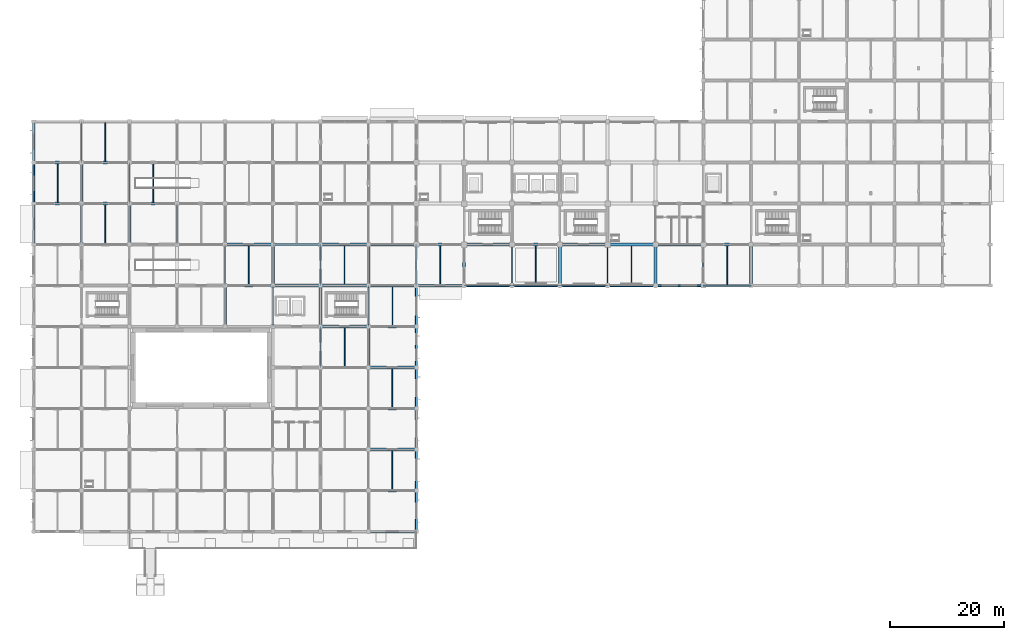
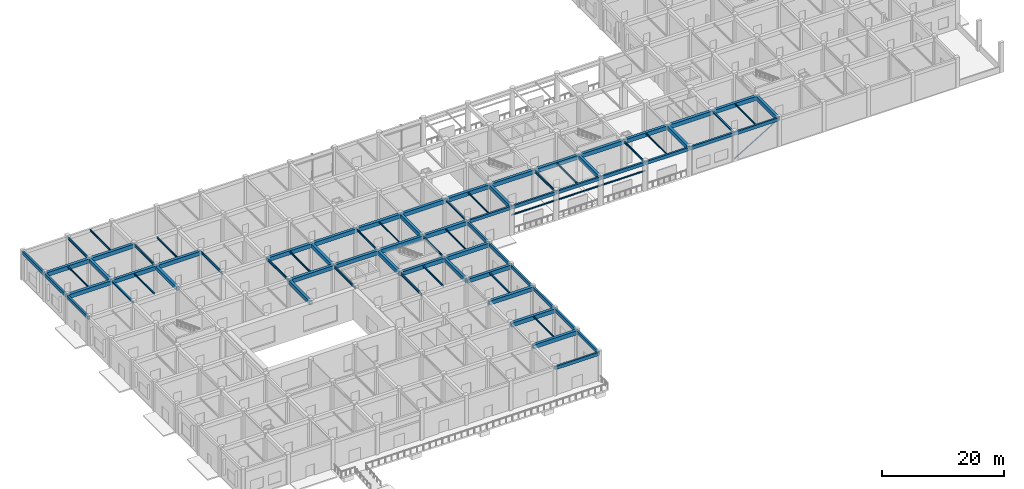
# One storey, part 4 of 39: 84 beams, 1 member.
"""IFC4 building model written with IfcOpenShell, lengths in metres."""

from ifc_helpers import new_model, si_unit, derived_unit, direction, frame, origin, origin_2d, place, context, subcontext, project, spatial, rectangle, hollow_circle, i_section, extrude, material, material_profile, profile_set, type_object, element, save


model = new_model("IFC4")

# Units and contexts
model_context = context("Model", 3, precision=1e-05, world=origin(), true_north=direction((0.0, 1.0)))
body_context = subcontext(model_context, "Body", "Model", "MODEL_VIEW")
ifc_project = project(units=[si_unit("LENGTHUNIT", "METRE"), si_unit("AREAUNIT", "SQUARE_METRE"), si_unit("VOLUMEUNIT", "CUBIC_METRE"), si_unit("PLANEANGLEUNIT", "RADIAN"), si_unit("MASSUNIT", "GRAM", prefix="KILO"), derived_unit("THERMALTRANSMITTANCEUNIT", [(si_unit("MASSUNIT", "GRAM", prefix="KILO"), 1), (si_unit("TIMEUNIT", "SECOND"), -3), (si_unit("THERMODYNAMICTEMPERATUREUNIT", "KELVIN"), -1)])], contexts=[model_context])

# Site, building, storey
site_placement = place(None, origin())
site = spatial("IfcSite", under=ifc_project, at=site_placement, CompositionType="ELEMENT")
building_placement = place(site_placement, origin())
building = spatial("IfcBuilding", under=site, at=building_placement, Name="Veldstrom Oceanarium and Marine Research Institute", CompositionType="ELEMENT")
storey_placement = place(building_placement, origin())
storey = spatial("IfcBuildingStorey", under=building, at=storey_placement, Name="L00", CompositionType="ELEMENT", Elevation=0.0)

# Beams
ifc_material_1 = material(Name="Concrete C40/50", Category="concrete")
ifc_material_profile_1 = material_profile(ifc_material_1, rectangle(XDim=0.550048828125, YDim=0.800048828125, at=origin_2d()), Name="RC-BM-550x800")
ifc_profile_set_1 = profile_set([ifc_material_profile_1], Name="Concrete C40/50")
beam_type_1 = type_object("IfcBeamType", Name="STR-BM-B02", PredefinedType="BEAM", material=ifc_profile_set_1)
for number, where, z_axis, x_axis, name in (
    (1, (0.0, 57.60009765625, 5.27001953125), (1.0, 0.0, 0.0), (0.0, 1.0, 0.0), "Primary Beam B02 L00-0723"),
    (2, (0.0, 64.800048828125, 5.27001953125), (1.0, 0.0, 0.0), (0.0, 1.0, 0.0), "Primary Beam B02 L00-0724"),
):
    element("IfcBeam", number, at=place(storey_placement, frame(where, z_axis=z_axis, x_axis=x_axis)), inside=storey, type_object=beam_type_1, Name=name, PredefinedType="BEAM", context=body_context, shape_type="SweptSolid", body=[
        extrude(rectangle(XDim=0.550048828125, YDim=0.800048828125, at=origin_2d()), origin(), (0.0, 0.0, 1.0), 8.39990234375),
    ])
for number, where, z_axis, x_axis, name in (
    (3, (8.39990234375, 57.60009765625, 5.27001953125), (1.0, 0.0, 0.0), (0.0, 1.0, 0.0), "Primary Beam B02 L00-0734"),
    (4, (8.39990234375, 64.800048828125, 5.27001953125), (1.0, 0.0, 0.0), (0.0, 1.0, 0.0), "Primary Beam B02 L00-0735"),
):
    element("IfcBeam", number, at=place(storey_placement, frame(where, z_axis=z_axis, x_axis=x_axis)), inside=storey, type_object=beam_type_1, Name=name, PredefinedType="BEAM", context=body_context, shape_type="SweptSolid", body=[
        extrude(rectangle(XDim=0.550048828125, YDim=0.800048828125, at=origin_2d()), origin(), (0.0, 0.0, 1.0), 8.400146484375),
    ])
for number, where, z_axis, x_axis, name in (
    (5, (16.800048828125, 57.60009765625, 5.27001953125), (1.0, 0.0, 0.0), (0.0, 1.0, 0.0), "Primary Beam B02 L00-0743"),
    (6, (33.60009765625, 43.199951171875, 5.27001953125), (1.0, 0.0, 0.0), (0.0, 1.0, 0.0), "Primary Beam B02 L00-0759"),
    (7, (33.60009765625, 50.39990234375, 5.27001953125), (1.0, 0.0, 0.0), (0.0, 1.0, 0.0), "Primary Beam B02 L00-0760"),
    (8, (42.0, 43.199951171875, 5.27001953125), (1.0, 0.0, 0.0), (0.0, 1.0, 0.0), "Primary Beam B02 L00-0770"),
    (9, (42.0, 50.39990234375, 5.27001953125), (1.0, 0.0, 0.0), (0.0, 1.0, 0.0), "Primary Beam B02 L00-0771"),
):
    element("IfcBeam", number, at=place(storey_placement, frame(where, z_axis=z_axis, x_axis=x_axis)), inside=storey, type_object=beam_type_1, Name=name, PredefinedType="BEAM", context=body_context, shape_type="SweptSolid", body=[
        extrude(rectangle(XDim=0.550048828125, YDim=0.800048828125, at=origin_2d()), origin(), (0.0, 0.0, 1.0), 8.39990234375),
    ])
for number, where, z_axis, x_axis, name in (
    (10, (50.39990234375, 36.0, 5.27001953125), (1.0, 0.0, 0.0), (0.0, 1.0, 0.0), "Primary Beam B02 L00-0780"),
    (11, (50.39990234375, 43.199951171875, 5.27001953125), (1.0, 0.0, 0.0), (0.0, 1.0, 0.0), "Primary Beam B02 L00-0781"),
    (12, (50.39990234375, 50.39990234375, 5.27001953125), (1.0, 0.0, 0.0), (0.0, 1.0, 0.0), "Primary Beam B02 L00-0782"),
):
    element("IfcBeam", number, at=place(storey_placement, frame(where, z_axis=z_axis, x_axis=x_axis)), inside=storey, type_object=beam_type_1, Name=name, PredefinedType="BEAM", context=body_context, shape_type="SweptSolid", body=[
        extrude(rectangle(XDim=0.550048828125, YDim=0.800048828125, at=origin_2d()), origin(), (0.0, 0.0, 1.0), 8.400146484375),
    ])
for number, where, z_axis, x_axis, name in (
    (13, (58.800048828125, 7.199951171875, 5.27001953125), (1.0, 0.0, 0.0), (0.0, 1.0, 0.0), "Primary Beam B02 L00-0787"),
    (14, (58.800048828125, 14.39990234375, 5.27001953125), (1.0, 0.0, 0.0), (0.0, 1.0, 0.0), "Primary Beam B02 L00-0788"),
    (15, (58.800048828125, 21.60009765625, 5.27001953125), (1.0, 0.0, 0.0), (0.0, 1.0, 0.0), "Primary Beam B02 L00-0789"),
    (16, (58.800048828125, 28.800048828125, 5.27001953125), (1.0, 0.0, 0.0), (0.0, 1.0, 0.0), "Primary Beam B02 L00-0790"),
    (17, (58.800048828125, 36.0, 5.27001953125), (1.0, 0.0, 0.0), (0.0, 1.0, 0.0), "Primary Beam B02 L00-0791"),
    (18, (58.800048828125, 43.199951171875, 5.27001953125), (1.0, 0.0, 0.0), (0.0, 1.0, 0.0), "Primary Beam B02 L00-0792"),
    (19, (58.800048828125, 50.39990234375, 5.27001953125), (1.0, 0.0, 0.0), (0.0, 1.0, 0.0), "Primary Beam B02 L00-0793"),
):
    element("IfcBeam", number, at=place(storey_placement, frame(where, z_axis=z_axis, x_axis=x_axis)), inside=storey, type_object=beam_type_1, Name=name, PredefinedType="BEAM", context=body_context, shape_type="SweptSolid", body=[
        extrude(rectangle(XDim=0.550048828125, YDim=0.800048828125, at=origin_2d()), origin(), (0.0, 0.0, 1.0), 8.39990234375),
    ])
beam_1_placement = place(storey_placement, frame((67.199951171875, 50.39990234375, 5.27001953125), z_axis=(1.0, 0.0, 0.0), x_axis=(0.0, 1.0, 0.0)))
element("IfcBeam", 20, at=beam_1_placement, inside=storey, type_object=beam_type_1, Name="Primary Beam B02 L00-0798", PredefinedType="BEAM", context=body_context, shape_type="SweptSolid", body=[
    extrude(rectangle(XDim=0.550048828125, YDim=0.800048828125, at=origin_2d()), origin(), (0.0, 0.0, 1.0), 8.400146484375),
])
for number, where, z_axis, x_axis, name in (
    (21, (75.60009765625, 50.39990234375, 5.27001953125), (1.0, 0.0, 0.0), (0.0, 1.0, 0.0), "Primary Beam B02 L00-0803"),
    (22, (84.0, 50.39990234375, 5.27001953125), (1.0, 0.0, 0.0), (0.0, 1.0, 0.0), "Primary Beam B02 L00-0808"),
):
    element("IfcBeam", number, at=place(storey_placement, frame(where, z_axis=z_axis, x_axis=x_axis)), inside=storey, type_object=beam_type_1, Name=name, PredefinedType="BEAM", context=body_context, shape_type="SweptSolid", body=[
        extrude(rectangle(XDim=0.550048828125, YDim=0.800048828125, at=origin_2d()), origin(), (0.0, 0.0, 1.0), 8.39990234375),
    ])
beam_2_placement = place(storey_placement, frame((92.39990234375, 50.39990234375, 5.27001953125), z_axis=(1.0, 0.0, 0.0), x_axis=(0.0, 1.0, 0.0)))
element("IfcBeam", 23, at=beam_2_placement, inside=storey, type_object=beam_type_1, Name="Primary Beam B02 L00-0813", PredefinedType="BEAM", context=body_context, shape_type="SweptSolid", body=[
    extrude(rectangle(XDim=0.550048828125, YDim=0.800048828125, at=origin_2d()), origin(), (0.0, 0.0, 1.0), 8.400146484375),
])
beam_3_placement = place(storey_placement, frame((100.800048828125, 50.39990234375, 5.27001953125), z_axis=(1.0, 0.0, 0.0), x_axis=(0.0, 1.0, 0.0)))
element("IfcBeam", 24, at=beam_3_placement, inside=storey, type_object=beam_type_1, Name="Primary Beam B02 L00-0818", PredefinedType="BEAM", context=body_context, shape_type="SweptSolid", body=[
    extrude(rectangle(XDim=0.550048828125, YDim=0.800048828125, at=origin_2d()), origin(), (0.0, 0.0, 1.0), 8.39990234375),
])
beam_4_placement = place(storey_placement, frame((109.199951171875, 50.39990234375, 5.27001953125), z_axis=(1.0, 0.0, 0.0), x_axis=(0.0, 1.0, 0.0)))
element("IfcBeam", 25, at=beam_4_placement, inside=storey, type_object=beam_type_1, Name="Primary Beam B02 L00-0823", PredefinedType="BEAM", context=body_context, shape_type="SweptSolid", body=[
    extrude(rectangle(XDim=0.550048828125, YDim=0.800048828125, at=origin_2d()), origin(), (0.0, 0.0, 1.0), 8.400146484375),
])
beam_5_placement = place(storey_placement, frame((117.60009765625, 50.39990234375, 5.27001953125), z_axis=(1.0, 0.0, 0.0), x_axis=(0.0, 1.0, 0.0)))
element("IfcBeam", 26, at=beam_5_placement, inside=storey, type_object=beam_type_1, Name="Primary Beam B02 L00-0828", PredefinedType="BEAM", context=body_context, shape_type="SweptSolid", body=[
    extrude(rectangle(XDim=0.550048828125, YDim=0.800048828125, at=origin_2d()), origin(), (0.0, 0.0, 1.0), 8.39990234375),
])
ifc_material_2 = material(Name="Concrete C40/50", Category="concrete")
ifc_material_profile_2 = material_profile(ifc_material_2, rectangle(XDim=0.5, YDim=0.75, at=origin_2d()), Name="RC-BM-500x750")
ifc_profile_set_2 = profile_set([ifc_material_profile_2], Name="Concrete C40/50")
beam_type_2 = type_object("IfcBeamType", Name="STR-BM-B03", PredefinedType="BEAM", material=ifc_profile_set_2)
beam_6_placement = place(storey_placement, frame((8.39990234375, 57.60009765625, 5.294921875), z_axis=(0.0, 1.0, 0.0), x_axis=(-1.0, 0.0, 0.0)))
element("IfcBeam", 27, at=beam_6_placement, inside=storey, type_object=beam_type_2, Name="Primary Beam B03 L00-0909", PredefinedType="BEAM", context=body_context, shape_type="SweptSolid", body=[
    extrude(rectangle(XDim=0.5, YDim=0.75, at=origin_2d()), origin(), (0.0, 0.0, 1.0), 7.199951171875),
])
beam_7_placement = place(storey_placement, frame((16.800048828125, 50.39990234375, 5.294921875), z_axis=(0.0, 1.0, 0.0), x_axis=(-1.0, 0.0, 0.0)))
element("IfcBeam", 28, at=beam_7_placement, inside=storey, type_object=beam_type_2, Name="Primary Beam B03 L00-0918", PredefinedType="BEAM", context=body_context, shape_type="SweptSolid", body=[
    extrude(rectangle(XDim=0.5, YDim=0.75, at=origin_2d()), origin(), (0.0, 0.0, 1.0), 7.2001953125),
])
for number, where, z_axis, x_axis, name in (
    (29, (33.60009765625, 36.0, 5.294921875), (0.0, 1.0, 0.0), (-1.0, 0.0, 0.0), "Primary Beam B03 L00-0930"),
    (30, (42.0, 43.199951171875, 5.294921875), (0.0, 1.0, 0.0), (-1.0, 0.0, 0.0), "Primary Beam B03 L00-0941"),
    (31, (50.39990234375, 36.0, 5.294921875), (0.0, 1.0, 0.0), (-1.0, 0.0, 0.0), "Primary Beam B03 L00-0950"),
    (32, (58.800048828125, 28.800048828125, 5.294921875), (0.0, 1.0, 0.0), (-1.0, 0.0, 0.0), "Primary Beam B03 L00-0959"),
    (33, (58.800048828125, 43.199951171875, 5.294921875), (0.0, 1.0, 0.0), (-1.0, 0.0, 0.0), "Primary Beam B03 L00-0961"),
    (34, (75.60009765625, 43.199951171875, 5.294921875), (0.0, 1.0, 0.0), (-1.0, 0.0, 0.0), "Primary Beam B03 L00-0975"),
    (35, (92.39990234375, 43.199951171875, 5.294921875), (0.0, 1.0, 0.0), (-1.0, 0.0, 0.0), "Primary Beam B03 L00-0983"),
    (36, (109.199951171875, 43.199951171875, 5.294921875), (0.0, 1.0, 0.0), (-1.0, 0.0, 0.0), "Primary Beam B03 L00-0991"),
    (37, (126.0, 43.199951171875, 5.294921875), (0.0, 1.0, 0.0), (-1.0, 0.0, 0.0), "Primary Beam B03 L00-1005"),
):
    element("IfcBeam", number, at=place(storey_placement, frame(where, z_axis=z_axis, x_axis=x_axis)), inside=storey, type_object=beam_type_2, Name=name, PredefinedType="BEAM", context=body_context, shape_type="SweptSolid", body=[
        extrude(rectangle(XDim=0.5, YDim=0.75, at=origin_2d()), origin(), (0.0, 0.0, 1.0), 7.199951171875),
    ])
ifc_material_3 = material(Name="Steel S355JR", Category="steel")
ifc_material_profile_3 = material_profile(ifc_material_3, i_section(OverallWidth=0.300048828125, OverallDepth=0.2900390625, WebThickness=0.008544921875, FlangeThickness=0.013916015625, FilletRadius=0.027099609375, at=origin_2d()), Name="HEA 300")
ifc_profile_set_3 = profile_set([ifc_material_profile_3], Name="Steel S355JR")
beam_type_3 = type_object("IfcBeamType", Name="STR-BM-SB10", PredefinedType="BEAM", material=ifc_profile_set_3)
beam_8_placement = place(storey_placement, frame((8.39990234375, 50.39990234375, 5.52490234375), z_axis=(0.0, 1.0, 0.0), x_axis=(-1.0, 0.0, 0.0)))
element("IfcBeam", 38, at=beam_8_placement, inside=storey, type_object=beam_type_3, Name="Steel Tie Beam SB10 L00-0908", PredefinedType="BEAM", context=body_context, shape_type="SweptSolid", body=[
    extrude(i_section(OverallWidth=0.300048828125, OverallDepth=0.2900390625, WebThickness=0.008544921875, FlangeThickness=0.013916015625, FilletRadius=0.027099609375, at=origin_2d()), origin(), (0.0, 0.0, 1.0), 7.2001953125),
])
for number, where, z_axis, x_axis, name in (
    (39, (67.199951171875, 43.199951171875, 5.52490234375), (0.0, 1.0, 0.0), (-1.0, 0.0, 0.0), "Steel Tie Beam SB10 L00-0971"),
    (40, (117.60009765625, 43.199951171875, 5.52490234375), (0.0, 1.0, 0.0), (-1.0, 0.0, 0.0), "Steel Tie Beam SB10 L00-0995"),
):
    element("IfcBeam", number, at=place(storey_placement, frame(where, z_axis=z_axis, x_axis=x_axis)), inside=storey, type_object=beam_type_3, Name=name, PredefinedType="BEAM", context=body_context, shape_type="SweptSolid", body=[
        extrude(i_section(OverallWidth=0.300048828125, OverallDepth=0.2900390625, WebThickness=0.008544921875, FlangeThickness=0.013916015625, FilletRadius=0.027099609375, at=origin_2d()), origin(), (0.0, 0.0, 1.0), 7.199951171875),
    ])
ifc_material_4 = material(Name="Steel S355JR", Category="steel")
ifc_material_profile_4 = material_profile(ifc_material_4, i_section(OverallWidth=0.199951171875, OverallDepth=0.5, WebThickness=0.01025390625, FlangeThickness=0.01611328125, FilletRadius=0.02099609375, at=origin_2d()), Name="IPE 500")
ifc_profile_set_4 = profile_set([ifc_material_profile_4], Name="Steel S355JR")
beam_type_4 = type_object("IfcBeamType", Name="STR-BM-SB6", PredefinedType="BEAM", material=ifc_profile_set_4)
for number, where, z_axis, x_axis, name in (
    (41, (8.39990234375, 64.800048828125, 5.419921875), (0.0, 1.0, 0.0), (-1.0, 0.0, 0.0), "Steel Tie Beam SB6 L00-0910"),
    (42, (16.800048828125, 57.60009765625, 5.419921875), (0.0, 1.0, 0.0), (-1.0, 0.0, 0.0), "Steel Tie Beam SB6 L00-0919"),
):
    element("IfcBeam", number, at=place(storey_placement, frame(where, z_axis=z_axis, x_axis=x_axis)), inside=storey, type_object=beam_type_4, Name=name, PredefinedType="BEAM", context=body_context, shape_type="SweptSolid", body=[
        extrude(i_section(OverallWidth=0.199951171875, OverallDepth=0.5, WebThickness=0.01025390625, FlangeThickness=0.01611328125, FilletRadius=0.02099609375, at=origin_2d()), origin(), (0.0, 0.0, 1.0), 7.199951171875),
    ])
beam_9_placement = place(storey_placement, frame((25.199951171875, 50.39990234375, 5.419921875), z_axis=(0.0, 1.0, 0.0), x_axis=(-1.0, 0.0, 0.0)))
element("IfcBeam", 43, at=beam_9_placement, inside=storey, type_object=beam_type_4, Name="Steel Tie Beam SB6 L00-0925", PredefinedType="BEAM", context=body_context, shape_type="SweptSolid", body=[
    extrude(i_section(OverallWidth=0.199951171875, OverallDepth=0.5, WebThickness=0.01025390625, FlangeThickness=0.01611328125, FilletRadius=0.02099609375, at=origin_2d()), origin(), (0.0, 0.0, 1.0), 7.2001953125),
])
for number, where, z_axis, x_axis, name in (
    (44, (33.60009765625, 43.199951171875, 5.419921875), (0.0, 1.0, 0.0), (-1.0, 0.0, 0.0), "Steel Tie Beam SB6 L00-0931"),
    (45, (42.0, 36.0, 5.419921875), (0.0, 1.0, 0.0), (-1.0, 0.0, 0.0), "Steel Tie Beam SB6 L00-0940"),
    (46, (50.39990234375, 28.800048828125, 5.419921875), (0.0, 1.0, 0.0), (-1.0, 0.0, 0.0), "Steel Tie Beam SB6 L00-0949"),
    (47, (84.0, 43.199951171875, 5.419921875), (0.0, 1.0, 0.0), (-1.0, 0.0, 0.0), "Steel Tie Beam SB6 L00-0979"),
):
    element("IfcBeam", number, at=place(storey_placement, frame(where, z_axis=z_axis, x_axis=x_axis)), inside=storey, type_object=beam_type_4, Name=name, PredefinedType="BEAM", context=body_context, shape_type="SweptSolid", body=[
        extrude(i_section(OverallWidth=0.199951171875, OverallDepth=0.5, WebThickness=0.01025390625, FlangeThickness=0.01611328125, FilletRadius=0.02099609375, at=origin_2d()), origin(), (0.0, 0.0, 1.0), 7.199951171875),
    ])
ifc_material_5 = material(Name="Steel S355JR", Category="steel")
ifc_material_profile_5 = material_profile(ifc_material_5, i_section(OverallWidth=0.179931640625, OverallDepth=0.39990234375, WebThickness=0.008544921875, FlangeThickness=0.013427734375, FilletRadius=0.02099609375, at=origin_2d()), Name="IPE 400")
ifc_profile_set_5 = profile_set([ifc_material_profile_5], Name="Steel S355JR")
beam_type_5 = type_object("IfcBeamType", Name="STR-BM-SB8", PredefinedType="BEAM", material=ifc_profile_set_5)
for number, where, z_axis, x_axis, name in (
    (48, (50.39990234375, 43.199951171875, 5.469970703125), (0.0, 1.0, 0.0), (-1.0, 0.0, 0.0), "Steel Tie Beam SB8 L00-0951"),
    (49, (58.800048828125, 36.0, 5.469970703125), (0.0, 1.0, 0.0), (-1.0, 0.0, 0.0), "Steel Tie Beam SB8 L00-0960"),
    (50, (100.800048828125, 43.199951171875, 5.469970703125), (0.0, 1.0, 0.0), (-1.0, 0.0, 0.0), "Steel Tie Beam SB8 L00-0987"),
):
    element("IfcBeam", number, at=place(storey_placement, frame(where, z_axis=z_axis, x_axis=x_axis)), inside=storey, type_object=beam_type_5, Name=name, PredefinedType="BEAM", context=body_context, shape_type="SweptSolid", body=[
        extrude(i_section(OverallWidth=0.179931640625, OverallDepth=0.39990234375, WebThickness=0.008544921875, FlangeThickness=0.013427734375, FilletRadius=0.02099609375, at=origin_2d()), origin(), (0.0, 0.0, 1.0), 7.199951171875),
    ])
ifc_material_6 = material(Name="Steel S355JR", Category="steel")
ifc_material_profile_6 = material_profile(ifc_material_6, i_section(OverallWidth=0.169921875, OverallDepth=0.360107421875, WebThickness=0.008056640625, FlangeThickness=0.0126953125, FilletRadius=0.01806640625, at=origin_2d()), Name="IPE 360")
ifc_profile_set_6 = profile_set([ifc_material_profile_6], Name="Steel S355JR")
beam_type_6 = type_object("IfcBeamType", Name="STR-JST-SJ1", PredefinedType="JOIST", material=ifc_profile_set_6)
beam_10_placement = place(storey_placement, frame((12.60009765625, 65.074951171875, 5.489990234375), z_axis=(0.0, 1.0, 0.0), x_axis=(-1.0, 0.0, 0.0)))
element("IfcBeam", 51, at=beam_10_placement, inside=storey, type_object=beam_type_6, Name="Secondary Joist SJ1 L00-1071", PredefinedType="JOIST", context=body_context, shape_type="SweptSolid", body=[
    extrude(i_section(OverallWidth=0.169921875, OverallDepth=0.360107421875, WebThickness=0.008056640625, FlangeThickness=0.0126953125, FilletRadius=0.01806640625, at=origin_2d()), origin(), (0.0, 0.0, 1.0), 6.75),
])
for number, where, z_axis, x_axis, name in (
    (52, (21.0, 57.875, 5.489990234375), (0.0, 1.0, 0.0), (-1.0, 0.0, 0.0), "Secondary Joist SJ1 L00-1074"),
    (53, (37.800048828125, 43.47509765625, 5.489990234375), (0.0, 1.0, 0.0), (-1.0, 0.0, 0.0), "Secondary Joist SJ1 L00-1080"),
):
    element("IfcBeam", number, at=place(storey_placement, frame(where, z_axis=z_axis, x_axis=x_axis)), inside=storey, type_object=beam_type_6, Name=name, PredefinedType="JOIST", context=body_context, shape_type="SweptSolid", body=[
        extrude(i_section(OverallWidth=0.169921875, OverallDepth=0.360107421875, WebThickness=0.008056640625, FlangeThickness=0.0126953125, FilletRadius=0.01806640625, at=origin_2d()), origin(), (0.0, 0.0, 1.0), 6.64990234375),
    ])
beam_11_placement = place(storey_placement, frame((54.60009765625, 29.074951171875, 5.489990234375), z_axis=(0.0, 1.0, 0.0), x_axis=(-1.0, 0.0, 0.0)))
element("IfcBeam", 54, at=beam_11_placement, inside=storey, type_object=beam_type_6, Name="Secondary Joist SJ1 L00-1088", PredefinedType="JOIST", context=body_context, shape_type="SweptSolid", body=[
    extrude(i_section(OverallWidth=0.169921875, OverallDepth=0.360107421875, WebThickness=0.008056640625, FlangeThickness=0.0126953125, FilletRadius=0.01806640625, at=origin_2d()), origin(), (0.0, 0.0, 1.0), 6.650146484375),
])
beam_12_placement = place(storey_placement, frame((63.0, 21.875, 5.489990234375), z_axis=(0.0, 1.0, 0.0), x_axis=(-1.0, 0.0, 0.0)))
element("IfcBeam", 55, at=beam_12_placement, inside=storey, type_object=beam_type_6, Name="Secondary Joist SJ1 L00-1092", PredefinedType="JOIST", context=body_context, shape_type="SweptSolid", body=[
    extrude(i_section(OverallWidth=0.169921875, OverallDepth=0.360107421875, WebThickness=0.008056640625, FlangeThickness=0.0126953125, FilletRadius=0.01806640625, at=origin_2d()), origin(), (0.0, 0.0, 1.0), 6.64990234375),
])
beam_13_placement = place(storey_placement, frame((88.199951171875, 43.375, 5.489990234375), z_axis=(0.0, 1.0, 0.0), x_axis=(-1.0, 0.0, 0.0)))
element("IfcBeam", 56, at=beam_13_placement, inside=storey, type_object=beam_type_6, Name="Secondary Joist SJ1 L00-1099", PredefinedType="JOIST", context=body_context, shape_type="SweptSolid", body=[
    extrude(i_section(OverallWidth=0.169921875, OverallDepth=0.360107421875, WebThickness=0.008056640625, FlangeThickness=0.0126953125, FilletRadius=0.01806640625, at=origin_2d()), origin(), (0.0, 0.0, 1.0), 6.75),
])
ifc_material_7 = material(Name="Steel S355JR", Category="steel")
ifc_material_profile_7 = material_profile(ifc_material_7, i_section(OverallWidth=0.14990234375, OverallDepth=0.300048828125, WebThickness=0.007080078125, FlangeThickness=0.0107421875, FilletRadius=0.014892578125, at=origin_2d()), Name="IPE 300")
ifc_profile_set_7 = profile_set([ifc_material_profile_7], Name="Steel S355JR")
beam_type_7 = type_object("IfcBeamType", Name="STR-JST-SJ2", PredefinedType="JOIST", material=ifc_profile_set_7)
for number, where, z_axis, x_axis, name in (
    (57, (4.199951171875, 57.875, 5.52001953125), (0.0, 1.0, 0.0), (-1.0, 0.0, 0.0), "Secondary Joist SJ2 L00-1067"),
    (58, (12.60009765625, 50.675048828125, 5.52001953125), (0.0, 1.0, 0.0), (-1.0, 0.0, 0.0), "Secondary Joist SJ2 L00-1070"),
    (59, (63.0, 7.47509765625, 5.52001953125), (0.0, 1.0, 0.0), (-1.0, 0.0, 0.0), "Secondary Joist SJ2 L00-1091"),
):
    element("IfcBeam", number, at=place(storey_placement, frame(where, z_axis=z_axis, x_axis=x_axis)), inside=storey, type_object=beam_type_7, Name=name, PredefinedType="JOIST", context=body_context, shape_type="SweptSolid", body=[
        extrude(i_section(OverallWidth=0.14990234375, OverallDepth=0.300048828125, WebThickness=0.007080078125, FlangeThickness=0.0107421875, FilletRadius=0.014892578125, at=origin_2d()), origin(), (0.0, 0.0, 1.0), 6.64990234375),
    ])
for number, where, z_axis, x_axis, name in (
    (60, (71.39990234375, 43.375, 5.52001953125), (0.0, 1.0, 0.0), (-1.0, 0.0, 0.0), "Secondary Joist SJ2 L00-1096"),
    (61, (121.800048828125, 43.375, 5.52001953125), (0.0, 1.0, 0.0), (-1.0, 0.0, 0.0), "Secondary Joist SJ2 L00-1105"),
):
    element("IfcBeam", number, at=place(storey_placement, frame(where, z_axis=z_axis, x_axis=x_axis)), inside=storey, type_object=beam_type_7, Name=name, PredefinedType="JOIST", context=body_context, shape_type="SweptSolid", body=[
        extrude(i_section(OverallWidth=0.14990234375, OverallDepth=0.300048828125, WebThickness=0.007080078125, FlangeThickness=0.0107421875, FilletRadius=0.014892578125, at=origin_2d()), origin(), (0.0, 0.0, 1.0), 6.75),
    ])
ifc_material_8 = material(Name="Steel S355JR", Category="steel")
ifc_material_profile_8 = material_profile(ifc_material_8, i_section(OverallWidth=0.135009765625, OverallDepth=0.27001953125, WebThickness=0.006591796875, FlangeThickness=0.01025390625, FilletRadius=0.014892578125, at=origin_2d()), Name="IPE 270")
ifc_profile_set_8 = profile_set([ifc_material_profile_8], Name="Steel S355JR")
beam_type_8 = type_object("IfcBeamType", Name="STR-JST-SJ3", PredefinedType="JOIST", material=ifc_profile_set_8)
beam_14_placement = place(storey_placement, frame((54.60009765625, 43.47509765625, 5.534912109375), z_axis=(0.0, 1.0, 0.0), x_axis=(-1.0, 0.0, 0.0)))
element("IfcBeam", 62, at=beam_14_placement, inside=storey, type_object=beam_type_8, Name="Secondary Joist SJ3 L00-1089", PredefinedType="JOIST", context=body_context, shape_type="SweptSolid", body=[
    extrude(i_section(OverallWidth=0.135009765625, OverallDepth=0.27001953125, WebThickness=0.006591796875, FlangeThickness=0.01025390625, FilletRadius=0.014892578125, at=origin_2d()), origin(), (0.0, 0.0, 1.0), 6.64990234375),
])
beam_15_placement = place(storey_placement, frame((63.0, 36.27490234375, 5.534912109375), z_axis=(0.0, 1.0, 0.0), x_axis=(-1.0, 0.0, 0.0)))
element("IfcBeam", 63, at=beam_15_placement, inside=storey, type_object=beam_type_8, Name="Secondary Joist SJ3 L00-1093", PredefinedType="JOIST", context=body_context, shape_type="SweptSolid", body=[
    extrude(i_section(OverallWidth=0.135009765625, OverallDepth=0.27001953125, WebThickness=0.006591796875, FlangeThickness=0.01025390625, FilletRadius=0.014892578125, at=origin_2d()), origin(), (0.0, 0.0, 1.0), 6.650146484375),
])
beam_16_placement = place(storey_placement, frame((105.0, 43.375, 5.534912109375), z_axis=(0.0, 1.0, 0.0), x_axis=(-1.0, 0.0, 0.0)))
element("IfcBeam", 64, at=beam_16_placement, inside=storey, type_object=beam_type_8, Name="Secondary Joist SJ3 L00-1101", PredefinedType="JOIST", context=body_context, shape_type="SweptSolid", body=[
    extrude(i_section(OverallWidth=0.135009765625, OverallDepth=0.27001953125, WebThickness=0.006591796875, FlangeThickness=0.01025390625, FilletRadius=0.014892578125, at=origin_2d()), origin(), (0.0, 0.0, 1.0), 6.75),
])
ifc_material_9 = material(Name="Steel S355JR", Category="steel")
ifc_material_profile_9 = material_profile(ifc_material_9, i_section(OverallWidth=0.10009765625, OverallDepth=0.199951171875, WebThickness=0.005615234375, FlangeThickness=0.008544921875, FilletRadius=0.011962890625, at=origin_2d()), Name="IPE 200")
ifc_profile_set_9 = profile_set([ifc_material_profile_9], Name="Steel S355JR")
beam_type_9 = type_object("IfcBeamType", Name="STR-LNT-LN3", PredefinedType="LINTEL", material=ifc_profile_set_9)
for number, where, z_axis, x_axis, name in (
    (65, (75.60009765625, 43.199951171875, 3.800048828125), (1.0, 0.0, 0.0), (0.0, 1.0, 0.0), "Portal Lintel LN3-05"),
    (66, (84.0, 43.199951171875, 3.800048828125), (1.0, 0.0, 0.0), (0.0, 1.0, 0.0), "Portal Lintel LN3-06"),
):
    element("IfcBeam", number, at=place(storey_placement, frame(where, z_axis=z_axis, x_axis=x_axis)), inside=storey, type_object=beam_type_9, Name=name, PredefinedType="LINTEL", context=body_context, shape_type="SweptSolid", body=[
        extrude(i_section(OverallWidth=0.10009765625, OverallDepth=0.199951171875, WebThickness=0.005615234375, FlangeThickness=0.008544921875, FilletRadius=0.011962890625, at=origin_2d()), origin(), (0.0, 0.0, 1.0), 8.39990234375),
    ])
beam_17_placement = place(storey_placement, frame((92.39990234375, 43.199951171875, 3.800048828125), z_axis=(1.0, 0.0, 0.0), x_axis=(0.0, 1.0, 0.0)))
element("IfcBeam", 67, at=beam_17_placement, inside=storey, type_object=beam_type_9, Name="Portal Lintel LN3-07", PredefinedType="LINTEL", context=body_context, shape_type="SweptSolid", body=[
    extrude(i_section(OverallWidth=0.10009765625, OverallDepth=0.199951171875, WebThickness=0.005615234375, FlangeThickness=0.008544921875, FilletRadius=0.011962890625, at=origin_2d()), origin(), (0.0, 0.0, 1.0), 8.400146484375),
])

# Member
ifc_material_10 = material(Name="Steel S355JR", Category="steel")
ifc_material_profile_10 = material_profile(ifc_material_10, hollow_circle(Radius=0.109619140625, WallThickness=0.012451171875, at=origin_2d()), Name="CHS 219.1x12.5")
ifc_profile_set_10 = profile_set([ifc_material_profile_10], Name="Steel S355JR")
member_type = type_object("IfcMemberType", Name="STR-MEM-BR1", PredefinedType="BRACE", material=ifc_profile_set_10)
member_placement = place(storey_placement, frame((117.60009765625, 43.199951171875, 0.25), z_axis=(0.855915083166, 0.0, 0.517116399284), x_axis=(0.0, 1.0, 0.0)))
element("IfcMember", 68, at=member_placement, inside=storey, type_object=member_type, Name="Party-Wall Lateral Brace LB-L00-0602", PredefinedType="BRACE", context=body_context, shape_type="SweptSolid", body=[
    extrude(hollow_circle(Radius=0.109619140625, WallThickness=0.012451171875, at=origin_2d()), origin(), (0.0, 0.0, 1.0), 9.81396484375),
])

# Beams
ifc_material_11 = material(Name="Concrete C40/50", Category="concrete")
ifc_material_profile_11 = material_profile(ifc_material_11, rectangle(XDim=0.35009765625, YDim=0.64990234375, at=origin_2d()), Name="RC-SPN-350x650")
ifc_profile_set_11 = profile_set([ifc_material_profile_11], Name="Concrete C40/50")
beam_type_10 = type_object("IfcBeamType", Name="STR-SPN-SP1", PredefinedType="SPANDREL", material=ifc_profile_set_11)
beam_18_placement = place(storey_placement, frame((58.800048828125, 0.0, 5.344970703125), z_axis=(1.0, 0.0, 0.0), x_axis=(0.0, 1.0, 0.0)))
element("IfcBeam", 69, at=beam_18_placement, inside=storey, type_object=beam_type_10, Name="Perimeter Spandrel SPB1 L00-0786", PredefinedType="SPANDREL", context=body_context, shape_type="SweptSolid", body=[
    extrude(rectangle(XDim=0.35009765625, YDim=0.64990234375, at=origin_2d()), origin(), (0.0, 0.0, 1.0), 8.39990234375),
])
beam_19_placement = place(storey_placement, frame((67.199951171875, 43.199951171875, 5.344970703125), z_axis=(1.0, 0.0, 0.0), x_axis=(0.0, 1.0, 0.0)))
element("IfcBeam", 70, at=beam_19_placement, inside=storey, type_object=beam_type_10, Name="Perimeter Spandrel SPB1 L00-0797", PredefinedType="SPANDREL", context=body_context, shape_type="SweptSolid", body=[
    extrude(rectangle(XDim=0.35009765625, YDim=0.64990234375, at=origin_2d()), origin(), (0.0, 0.0, 1.0), 8.400146484375),
])
for number, where, z_axis, x_axis, name in (
    (71, (75.60009765625, 43.199951171875, 5.344970703125), (1.0, 0.0, 0.0), (0.0, 1.0, 0.0), "Perimeter Spandrel SPB1 L00-0802"),
    (72, (84.0, 43.199951171875, 5.344970703125), (1.0, 0.0, 0.0), (0.0, 1.0, 0.0), "Perimeter Spandrel SPB1 L00-0807"),
):
    element("IfcBeam", number, at=place(storey_placement, frame(where, z_axis=z_axis, x_axis=x_axis)), inside=storey, type_object=beam_type_10, Name=name, PredefinedType="SPANDREL", context=body_context, shape_type="SweptSolid", body=[
        extrude(rectangle(XDim=0.35009765625, YDim=0.64990234375, at=origin_2d()), origin(), (0.0, 0.0, 1.0), 8.39990234375),
    ])
beam_20_placement = place(storey_placement, frame((92.39990234375, 43.199951171875, 5.344970703125), z_axis=(1.0, 0.0, 0.0), x_axis=(0.0, 1.0, 0.0)))
element("IfcBeam", 73, at=beam_20_placement, inside=storey, type_object=beam_type_10, Name="Perimeter Spandrel SPB1 L00-0812", PredefinedType="SPANDREL", context=body_context, shape_type="SweptSolid", body=[
    extrude(rectangle(XDim=0.35009765625, YDim=0.64990234375, at=origin_2d()), origin(), (0.0, 0.0, 1.0), 8.400146484375),
])
beam_21_placement = place(storey_placement, frame((100.800048828125, 43.199951171875, 5.344970703125), z_axis=(1.0, 0.0, 0.0), x_axis=(0.0, 1.0, 0.0)))
element("IfcBeam", 74, at=beam_21_placement, inside=storey, type_object=beam_type_10, Name="Perimeter Spandrel SPB1 L00-0817", PredefinedType="SPANDREL", context=body_context, shape_type="SweptSolid", body=[
    extrude(rectangle(XDim=0.35009765625, YDim=0.64990234375, at=origin_2d()), origin(), (0.0, 0.0, 1.0), 8.39990234375),
])
beam_22_placement = place(storey_placement, frame((109.199951171875, 43.199951171875, 5.344970703125), z_axis=(1.0, 0.0, 0.0), x_axis=(0.0, 1.0, 0.0)))
element("IfcBeam", 75, at=beam_22_placement, inside=storey, type_object=beam_type_10, Name="Perimeter Spandrel SPB1 L00-0822", PredefinedType="SPANDREL", context=body_context, shape_type="SweptSolid", body=[
    extrude(rectangle(XDim=0.35009765625, YDim=0.64990234375, at=origin_2d()), origin(), (0.0, 0.0, 1.0), 8.400146484375),
])
beam_23_placement = place(storey_placement, frame((117.60009765625, 43.199951171875, 5.344970703125), z_axis=(1.0, 0.0, 0.0), x_axis=(0.0, 1.0, 0.0)))
element("IfcBeam", 76, at=beam_23_placement, inside=storey, type_object=beam_type_10, Name="Perimeter Spandrel SPB1 L00-0827", PredefinedType="SPANDREL", context=body_context, shape_type="SweptSolid", body=[
    extrude(rectangle(XDim=0.35009765625, YDim=0.64990234375, at=origin_2d()), origin(), (0.0, 0.0, 1.0), 8.39990234375),
])
beam_24_placement = place(storey_placement, frame((0.0, 50.39990234375, 5.344970703125), z_axis=(0.0, 1.0, 0.0), x_axis=(-1.0, 0.0, 0.0)))
element("IfcBeam", 77, at=beam_24_placement, inside=storey, type_object=beam_type_10, Name="Perimeter Spandrel SPB1 L00-0898", PredefinedType="SPANDREL", context=body_context, shape_type="SweptSolid", body=[
    extrude(rectangle(XDim=0.35009765625, YDim=0.64990234375, at=origin_2d()), origin(), (0.0, 0.0, 1.0), 7.2001953125),
])
for number, where, z_axis, x_axis, name in (
    (78, (0.0, 57.60009765625, 5.344970703125), (0.0, 1.0, 0.0), (-1.0, 0.0, 0.0), "Perimeter Spandrel SPB1 L00-0899"),
    (79, (0.0, 64.800048828125, 5.344970703125), (0.0, 1.0, 0.0), (-1.0, 0.0, 0.0), "Perimeter Spandrel SPB1 L00-0900"),
    (80, (67.199951171875, 0.0, 5.344970703125), (0.0, 1.0, 0.0), (-1.0, 0.0, 0.0), "Perimeter Spandrel SPB1 L00-0965"),
    (81, (67.199951171875, 7.199951171875, 5.344970703125), (0.0, 1.0, 0.0), (-1.0, 0.0, 0.0), "Perimeter Spandrel SPB1 L00-0966"),
):
    element("IfcBeam", number, at=place(storey_placement, frame(where, z_axis=z_axis, x_axis=x_axis)), inside=storey, type_object=beam_type_10, Name=name, PredefinedType="SPANDREL", context=body_context, shape_type="SweptSolid", body=[
        extrude(rectangle(XDim=0.35009765625, YDim=0.64990234375, at=origin_2d()), origin(), (0.0, 0.0, 1.0), 7.199951171875),
    ])
beam_25_placement = place(storey_placement, frame((67.199951171875, 14.39990234375, 5.344970703125), z_axis=(0.0, 1.0, 0.0), x_axis=(-1.0, 0.0, 0.0)))
element("IfcBeam", 82, at=beam_25_placement, inside=storey, type_object=beam_type_10, Name="Perimeter Spandrel SPB1 L00-0967", PredefinedType="SPANDREL", context=body_context, shape_type="SweptSolid", body=[
    extrude(rectangle(XDim=0.35009765625, YDim=0.64990234375, at=origin_2d()), origin(), (0.0, 0.0, 1.0), 7.2001953125),
])
for number, where, z_axis, x_axis, name in (
    (83, (67.199951171875, 21.60009765625, 5.344970703125), (0.0, 1.0, 0.0), (-1.0, 0.0, 0.0), "Perimeter Spandrel SPB1 L00-0968"),
    (84, (67.199951171875, 28.800048828125, 5.344970703125), (0.0, 1.0, 0.0), (-1.0, 0.0, 0.0), "Perimeter Spandrel SPB1 L00-0969"),
    (85, (67.199951171875, 36.0, 5.344970703125), (0.0, 1.0, 0.0), (-1.0, 0.0, 0.0), "Perimeter Spandrel SPB1 L00-0970"),
):
    element("IfcBeam", number, at=place(storey_placement, frame(where, z_axis=z_axis, x_axis=x_axis)), inside=storey, type_object=beam_type_10, Name=name, PredefinedType="SPANDREL", context=body_context, shape_type="SweptSolid", body=[
        extrude(rectangle(XDim=0.35009765625, YDim=0.64990234375, at=origin_2d()), origin(), (0.0, 0.0, 1.0), 7.199951171875),
    ])

save(model, "model.ifc")
